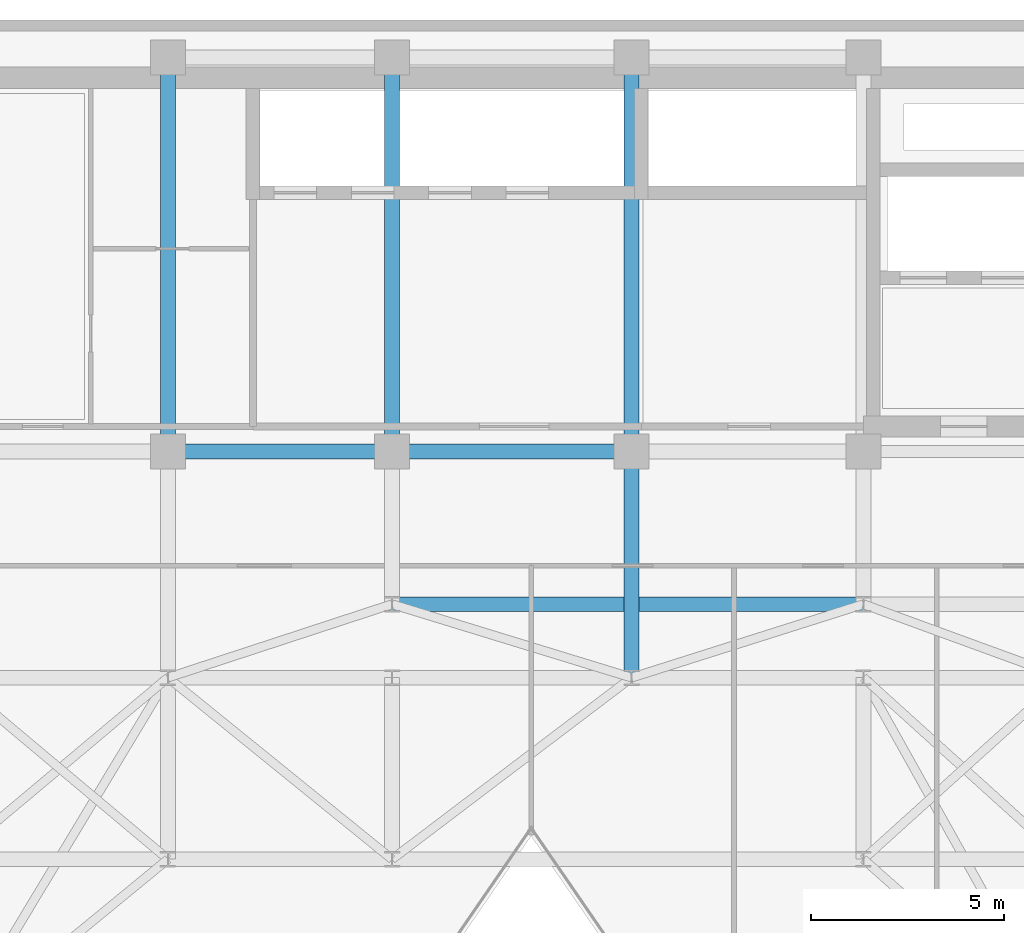
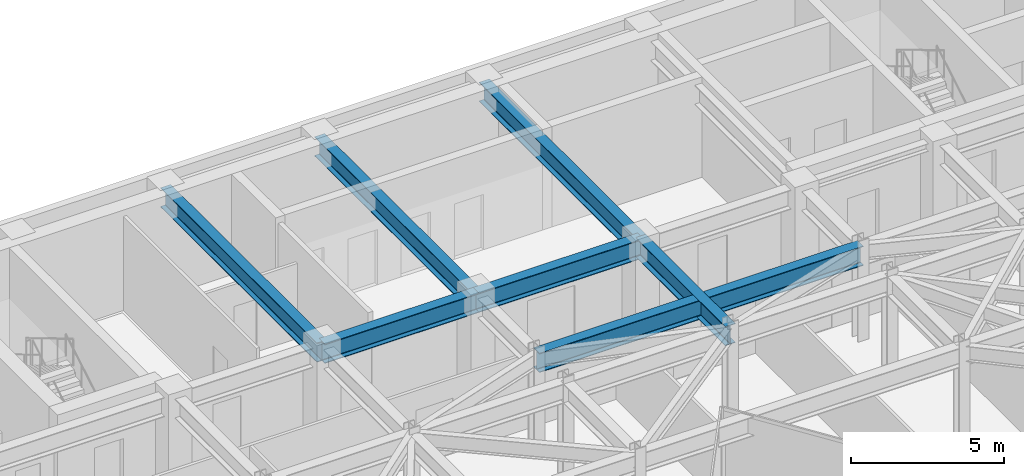
# One storey, part 15 of 27: 7 beams.
"""IFC4 building model written with IfcOpenShell, lengths in metres."""

from ifc_helpers import new_model, si_unit, direction, frame, origin, origin_2d, place, context, subcontext, project, spatial, i_section, extrude, material, material_profile, profile_set, type_object, element, save


model = new_model("IFC4")

# Units and contexts
model_context = context("Model", 3, precision=1e-05, world=origin(), true_north=direction((0.0, 1.0)))
body_context = subcontext(model_context, "Body", "Model", "MODEL_VIEW")
ifc_project = project(units=[si_unit("LENGTHUNIT", "METRE"), si_unit("AREAUNIT", "SQUARE_METRE"), si_unit("VOLUMEUNIT", "CUBIC_METRE"), si_unit("PLANEANGLEUNIT", "RADIAN"), si_unit("MASSUNIT", "GRAM", prefix="KILO")], contexts=[model_context])

# Site, building, storey
site_placement = place(None, origin())
site = spatial("IfcSite", under=ifc_project, at=site_placement, CompositionType="ELEMENT")
building_placement = place(site_placement, origin())
building = spatial("IfcBuilding", under=site, at=building_placement, Name="Kravanh Interchange Tower", CompositionType="ELEMENT")
storey_placement = place(building_placement, frame((0.0, 0.0, 196.5)))
storey = spatial("IfcBuildingStorey", under=building, at=storey_placement, Name="L47", CompositionType="ELEMENT", Elevation=196.5)

# Beams
ifc_material = material(Name="Structural Steel S355", Category="steel")
ifc_material_profile = material_profile(ifc_material, i_section(OverallWidth=0.381103515625, OverallDepth=0.77294921875, WebThickness=0.0166015625, FlangeThickness=0.027099609375, FilletRadius=0.02490234375, at=origin_2d()), Name="W30X173")
ifc_profile_set = profile_set([ifc_material_profile], Name="Structural Steel S355")
beam_type = type_object("IfcBeamType", Name="Floor Beam W30X173 Structural Steel S355", PredefinedType="BEAM", material=ifc_profile_set)
beam_1_placement = place(storey_placement, frame((44.800048828125, 37.35009765625, 3.368408203125), z_axis=(0.0, -1.0, 0.0), x_axis=(1.0, 0.0, 0.0)))
element("IfcBeam", 1, at=beam_1_placement, inside=storey, type_object=beam_type, Name="L47 Primary Floor Girder 12", PredefinedType="BEAM", context=body_context, shape_type="SweptSolid", body=[
    extrude(i_section(OverallWidth=0.381103515625, OverallDepth=0.77294921875, WebThickness=0.0166015625, FlangeThickness=0.027099609375, FilletRadius=0.02490234375, at=origin_2d()), origin(), (0.0, 0.0, 1.0), 5.85009765625),
])
beam_2_placement = place(storey_placement, frame((44.800048828125, 37.35009765625, 3.368408203125), z_axis=(-1.0, 0.0, 0.0), x_axis=(0.0, -1.0, 0.0)))
element("IfcBeam", 2, at=beam_2_placement, inside=storey, type_object=beam_type, Name="L47 Primary Floor Girder 13", PredefinedType="BEAM", context=body_context, shape_type="SweptSolid", body=[
    extrude(i_section(OverallWidth=0.381103515625, OverallDepth=0.77294921875, WebThickness=0.0166015625, FlangeThickness=0.027099609375, FilletRadius=0.02490234375, at=origin_2d()), origin(), (0.0, 0.0, 1.0), 6.199951171875),
])
beam_3_placement = place(storey_placement, frame((44.800048828125, 37.35009765625, 3.368408203125), z_axis=(0.0, 1.0, 0.0), x_axis=(-1.0, 0.0, 0.0)))
element("IfcBeam", 3, at=beam_3_placement, inside=storey, type_object=beam_type, Name="L47 Primary Floor Girder 14", PredefinedType="BEAM", context=body_context, shape_type="SweptSolid", body=[
    extrude(i_section(OverallWidth=0.381103515625, OverallDepth=0.77294921875, WebThickness=0.0166015625, FlangeThickness=0.027099609375, FilletRadius=0.02490234375, at=origin_2d()), origin(), (0.0, 0.0, 1.0), 10.199951171875),
])
beam_4_placement = place(storey_placement, frame((38.60009765625, 37.35009765625, 3.368408203125), z_axis=(-1.0, 0.0, 0.0), x_axis=(0.0, -1.0, 0.0)))
element("IfcBeam", 4, at=beam_4_placement, inside=storey, type_object=beam_type, Name="L47 Primary Floor Girder 17", PredefinedType="BEAM", context=body_context, shape_type="SweptSolid", body=[
    extrude(i_section(OverallWidth=0.381103515625, OverallDepth=0.77294921875, WebThickness=0.0166015625, FlangeThickness=0.027099609375, FilletRadius=0.02490234375, at=origin_2d()), origin(), (0.0, 0.0, 1.0), 5.800048828125),
])
for number, where, z_axis, x_axis, name in (
    (5, (38.60009765625, 37.35009765625, 3.368408203125), (0.0, 1.0, 0.0), (-1.0, 0.0, 0.0), "L47 Primary Floor Girder 18"),
    (6, (32.800048828125, 37.35009765625, 3.368408203125), (0.0, 1.0, 0.0), (-1.0, 0.0, 0.0), "L47 Primary Floor Girder 22"),
):
    element("IfcBeam", number, at=place(storey_placement, frame(where, z_axis=z_axis, x_axis=x_axis)), inside=storey, type_object=beam_type, Name=name, PredefinedType="BEAM", context=body_context, shape_type="SweptSolid", body=[
        extrude(i_section(OverallWidth=0.381103515625, OverallDepth=0.77294921875, WebThickness=0.0166015625, FlangeThickness=0.027099609375, FilletRadius=0.02490234375, at=origin_2d()), origin(), (0.0, 0.0, 1.0), 10.199951171875),
    ])
beam_5_placement = place(storey_placement, frame((38.60009765625, 33.39990234375, 3.368408203125), z_axis=(1.0, 0.0, 0.0), x_axis=(0.0, 1.0, 0.0)))
element("IfcBeam", 7, at=beam_5_placement, inside=storey, type_object=beam_type, Name="L47 Primary Floor Girder 94", PredefinedType="BEAM", context=body_context, shape_type="SweptSolid", body=[
    extrude(i_section(OverallWidth=0.381103515625, OverallDepth=0.77294921875, WebThickness=0.0166015625, FlangeThickness=0.027099609375, FilletRadius=0.02490234375, at=origin_2d()), origin(), (0.0, 0.0, 1.0), 12.199951171875),
])

save(model, "model.ifc")
